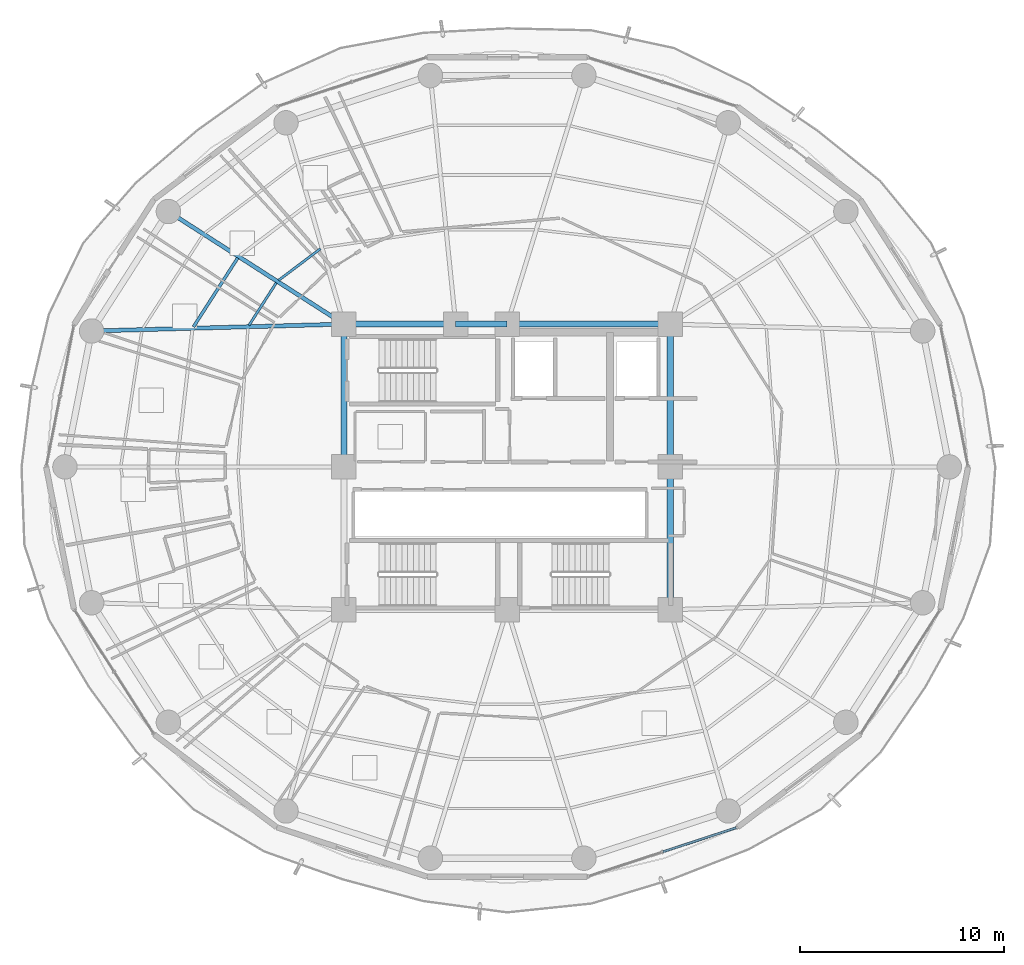
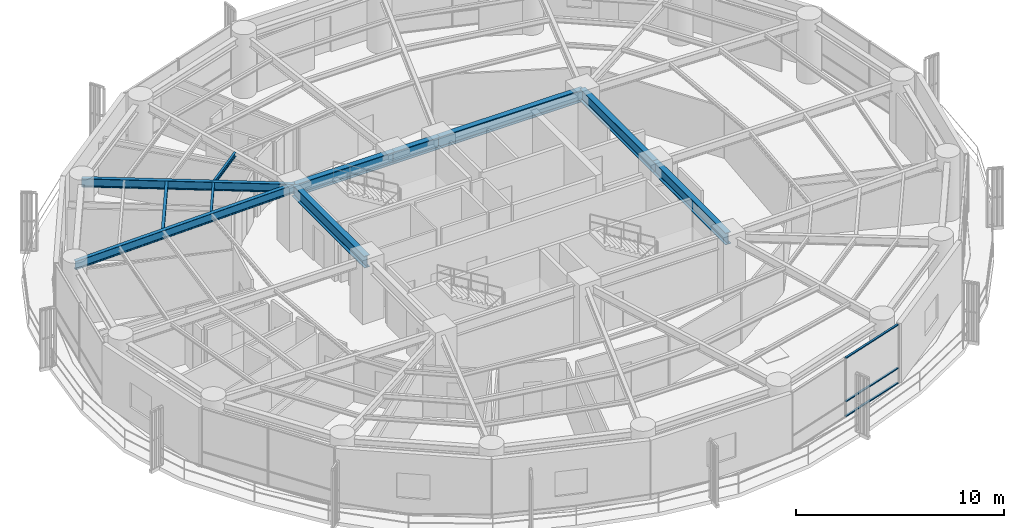
# One storey, part 9 of 28: 11 beams, 3 members, 1 element without a shape of its own.
"""IFC4 building model written with IfcOpenShell, lengths in metres."""

from ifc_helpers import new_model, si_unit, direction, frame, origin, origin_2d, place, context, subcontext, project, spatial, hollow_rectangle, i_section, extrude, material, layer, layer_set, material_profile, profile_set, type_object, element, aggregate, save


model = new_model("IFC4")

# Units and contexts
model_context = context("Model", 3, precision=1e-05, world=origin(), true_north=direction((0.0, 1.0)))
body_context = subcontext(model_context, "Body", "Model", "MODEL_VIEW")
ifc_project = project(units=[si_unit("LENGTHUNIT", "METRE"), si_unit("AREAUNIT", "SQUARE_METRE"), si_unit("VOLUMEUNIT", "CUBIC_METRE"), si_unit("PLANEANGLEUNIT", "RADIAN"), si_unit("MASSUNIT", "GRAM", prefix="KILO")], contexts=[model_context])

# Site, building, storey
site_placement = place(None, origin())
site = spatial("IfcSite", under=ifc_project, at=site_placement, CompositionType="ELEMENT")
building_placement = place(site_placement, origin())
building = spatial("IfcBuilding", under=site, at=building_placement, Name="Kelanora Arch Commons", CompositionType="ELEMENT")
storey_placement = place(building_placement, frame((0.0, 0.0, 180.60009765625)))
storey = spatial("IfcBuildingStorey", under=building, at=storey_placement, Name="L46", CompositionType="ELEMENT", Elevation=180.60009765625)

# Beams
ifc_material_1 = material(Name="Steel S355", Category="steel")
ifc_material_profile_1 = material_profile(ifc_material_1, i_section(OverallWidth=0.300048828125, OverallDepth=0.699951171875, WebThickness=0.01708984375, FlangeThickness=0.031982421875, FilletRadius=0.027099609375, at=origin_2d()), Name="HEB700")
ifc_profile_set_1 = profile_set([ifc_material_profile_1], Name="Steel S355")
beam_type_1 = type_object("IfcBeamType", Name="BM-CORE-HDR", PredefinedType="BEAM", material=ifc_profile_set_1)
for number, where, z_axis, x_axis, name in (
    (1, (82.0, 51.0, 3.139892578125), (0.0, 1.0, 0.0), (-1.0, 0.0, 0.0), "Core Header Beam 03 L46"),
    (2, (82.0, 58.0, 3.139892578125), (0.0, 1.0, 0.0), (-1.0, 0.0, 0.0), "Core Header Beam 04 L46"),
):
    element("IfcBeam", number, at=place(storey_placement, frame(where, z_axis=z_axis, x_axis=x_axis)), inside=storey, type_object=beam_type_1, Name=name, PredefinedType="BEAM", context=body_context, shape_type="SweptSolid", body=[
        extrude(i_section(OverallWidth=0.300048828125, OverallDepth=0.699951171875, WebThickness=0.01708984375, FlangeThickness=0.031982421875, FilletRadius=0.027099609375, at=origin_2d()), origin(), (0.0, 0.0, 1.0), 7.0),
    ])
beam_1_placement = place(storey_placement, frame((82.0, 65.0, 3.139892578125), z_axis=(-1.0, 0.0, 0.0), x_axis=(0.0, -1.0, 0.0)))
element("IfcBeam", 3, at=beam_1_placement, inside=storey, type_object=beam_type_1, Name="Core Header Beam 05 L46", PredefinedType="BEAM", context=body_context, shape_type="SweptSolid", body=[
    extrude(i_section(OverallWidth=0.300048828125, OverallDepth=0.699951171875, WebThickness=0.01708984375, FlangeThickness=0.031982421875, FilletRadius=0.027099609375, at=origin_2d()), origin(), (0.0, 0.0, 1.0), 8.0),
])
beam_2_placement = place(storey_placement, frame((74.0, 65.0, 3.139892578125), z_axis=(-1.0, 0.0, 0.0), x_axis=(0.0, -1.0, 0.0)))
element("IfcBeam", 4, at=beam_2_placement, inside=storey, type_object=beam_type_1, Name="Core Header Beam 06 L46", PredefinedType="BEAM", context=body_context, shape_type="SweptSolid", body=[
    extrude(i_section(OverallWidth=0.300048828125, OverallDepth=0.699951171875, WebThickness=0.01708984375, FlangeThickness=0.031982421875, FilletRadius=0.027099609375, at=origin_2d()), origin(), (0.0, 0.0, 1.0), 2.52001953125),
])
beam_3_placement = place(storey_placement, frame((71.47998046875, 65.0, 3.139892578125), z_axis=(-1.0, 0.0, 0.0), x_axis=(0.0, -1.0, 0.0)))
element("IfcBeam", 5, at=beam_3_placement, inside=storey, type_object=beam_type_1, Name="Core Header Beam 07 L46", PredefinedType="BEAM", context=body_context, shape_type="SweptSolid", body=[
    extrude(i_section(OverallWidth=0.300048828125, OverallDepth=0.699951171875, WebThickness=0.01708984375, FlangeThickness=0.031982421875, FilletRadius=0.027099609375, at=origin_2d()), origin(), (0.0, 0.0, 1.0), 5.47998046875),
])
beam_4_placement = place(storey_placement, frame((66.0, 65.0, 3.139892578125), z_axis=(0.0, -1.0, 0.0), x_axis=(1.0, 0.0, 0.0)))
element("IfcBeam", 6, at=beam_4_placement, inside=storey, type_object=beam_type_1, Name="Core Header Beam 08 L46", PredefinedType="BEAM", context=body_context, shape_type="SweptSolid", body=[
    extrude(i_section(OverallWidth=0.300048828125, OverallDepth=0.699951171875, WebThickness=0.01708984375, FlangeThickness=0.031982421875, FilletRadius=0.027099609375, at=origin_2d()), origin(), (0.0, 0.0, 1.0), 7.0),
])
ifc_material_profile_2 = material_profile(ifc_material_1, i_section(OverallWidth=0.14990234375, OverallDepth=0.300048828125, WebThickness=0.007080078125, FlangeThickness=0.0107421875, FilletRadius=0.014892578125, at=origin_2d()), Name="IPE300")
ifc_profile_set_2 = profile_set([ifc_material_profile_2], Name="Steel S355")
beam_type_2 = type_object("IfcBeamType", Name="BM-JST-01", PredefinedType="JOIST", material=ifc_profile_set_2)
beam_5_placement = place(storey_placement, frame((60.789306640625, 68.241455078125, 3.33984375), z_axis=(-0.540594434398, -0.841283339606, 0.0), x_axis=(0.841283339606, -0.540594434398, 0.0)))
element("IfcBeam", 7, at=beam_5_placement, inside=storey, type_object=beam_type_2, Name="Secondary Chord Joist BJB-14 L46", PredefinedType="JOIST", context=body_context, shape_type="SweptSolid", body=[
    extrude(i_section(OverallWidth=0.14990234375, OverallDepth=0.300048828125, WebThickness=0.007080078125, FlangeThickness=0.0107421875, FilletRadius=0.014892578125, at=origin_2d()), origin(), (0.0, 0.0, 1.0), 4.008544921875),
])
ifc_material_profile_3 = material_profile(ifc_material_1, i_section(OverallWidth=0.1201171875, OverallDepth=0.239990234375, WebThickness=0.006103515625, FlangeThickness=0.009765625, FilletRadius=0.014892578125, at=origin_2d()), Name="IPE240")
ifc_profile_set_3 = profile_set([ifc_material_profile_3], Name="Steel S355")
beam_type_3 = type_object("IfcBeamType", Name="BM-JST-02", PredefinedType="JOIST", material=ifc_profile_set_3)
beam_6_placement = place(storey_placement, frame((64.852783203125, 68.699462890625, 3.369873046875), z_axis=(-0.798484118859, -0.602015873487, 0.0), x_axis=(0.602015873487, -0.798484118859, 0.0)))
element("IfcBeam", 8, at=beam_6_placement, inside=storey, type_object=beam_type_3, Name="Secondary Chord Joist BJA-12 L46", PredefinedType="JOIST", context=body_context, shape_type="SweptSolid", body=[
    extrude(i_section(OverallWidth=0.1201171875, OverallDepth=0.239990234375, WebThickness=0.006103515625, FlangeThickness=0.009765625, FilletRadius=0.014892578125, at=origin_2d()), origin(), (0.0, 0.0, 1.0), 2.57470703125),
])
beam_7_placement = place(storey_placement, frame((62.68310546875, 67.026611328125, 3.369873046875), z_axis=(-0.540583174025, -0.841290575224, 0.0), x_axis=(0.841290575224, -0.540583174025, 0.0)))
element("IfcBeam", 9, at=beam_7_placement, inside=storey, type_object=beam_type_3, Name="Secondary Chord Joist BJA-14 L46", PredefinedType="JOIST", context=body_context, shape_type="SweptSolid", body=[
    extrude(i_section(OverallWidth=0.1201171875, OverallDepth=0.239990234375, WebThickness=0.006103515625, FlangeThickness=0.009765625, FilletRadius=0.014892578125, at=origin_2d()), origin(), (0.0, 0.0, 1.0), 2.476318359375),
])
ifc_material_profile_4 = material_profile(ifc_material_1, i_section(OverallWidth=0.199951171875, OverallDepth=0.5, WebThickness=0.01025390625, FlangeThickness=0.01611328125, FilletRadius=0.02099609375, at=origin_2d()), Name="IPE500")
ifc_profile_set_4 = profile_set([ifc_material_profile_4], Name="Steel S355")
beam_type_4 = type_object("IfcBeamType", Name="BM-RAD-Z3", PredefinedType="BEAM", material=ifc_profile_set_4)
beam_8_placement = place(storey_placement, frame((66.0, 65.0, 3.239990234375), z_axis=(-0.841719465748, 0.539915123868, 0.0), x_axis=(-0.539915123868, -0.841719465748, 0.0)))
element("IfcBeam", 10, at=beam_8_placement, inside=storey, type_object=beam_type_4, Name="Radial Floor Girder BR-14 L46", PredefinedType="BEAM", context=body_context, shape_type="SweptSolid", body=[
    extrude(i_section(OverallWidth=0.199951171875, OverallDepth=0.5, WebThickness=0.01025390625, FlangeThickness=0.01611328125, FilletRadius=0.02099609375, at=origin_2d()), origin(), (0.0, 0.0, 1.0), 10.2265625),
])
beam_9_placement = place(storey_placement, frame((66.0, 65.0, 3.239990234375), z_axis=(-0.999628374924, -0.027260081577, 0.0), x_axis=(0.027260081577, -0.999628374924, 0.0)))
element("IfcBeam", 11, at=beam_9_placement, inside=storey, type_object=beam_type_4, Name="Radial Floor Girder BR-16 L46", PredefinedType="BEAM", context=body_context, shape_type="SweptSolid", body=[
    extrude(i_section(OverallWidth=0.199951171875, OverallDepth=0.5, WebThickness=0.01025390625, FlangeThickness=0.01611328125, FilletRadius=0.02099609375, at=origin_2d()), origin(), (0.0, 0.0, 1.0), 12.377197265625),
])

# Curtain wall, members
ifc_material_2 = material(Name="Terracotta ceramic-fritted low-E glass and aluminium", Category="masonry")
ifc_layer = layer(ifc_material_2, 0.175048828125)
ifc_layer_set = layer_set([ifc_layer], Name="Terracotta ceramic-fritted low-E glass and aluminium")
curtain_wall_type = type_object("IfcCurtainWallType", Name="CW-SYS-02", PredefinedType="NOTDEFINED", material=ifc_layer_set)
curtain_wall_placement = place(storey_placement, origin())
curtain_wall = element("IfcCurtainWall", 12, at=curtain_wall_placement, inside=storey, type_object=curtain_wall_type, Name="Unitised Curtain Wall L46-B14", PredefinedType="NOTDEFINED")
ifc_material_3 = material(Name="Powder-coated aluminium terracotta", Category="masonry")
ifc_material_profile_5 = material_profile(ifc_material_3, hollow_rectangle(XDim=0.1201171875, YDim=0.06005859375, WallThickness=0.0048828125, InnerFilletRadius=0.0048828125, OuterFilletRadius=0.010009765625, at=origin_2d()), Name="CWT120x60")
ifc_profile_set_5 = profile_set([ifc_material_profile_5], Name="Powder-coated aluminium terracotta")
member_type = type_object("IfcMemberType", Name="CWT-STD", PredefinedType="USERDEFINED", material=ifc_profile_set_5)
member_1_placement = place(storey_placement, frame((81.640625, 39.130859375, 0.02978515625), z_axis=(0.950051191155, 0.312094111104, 0.0), x_axis=(-0.312094111104, 0.950051191155, 0.0)))
member_1 = element("IfcMember", 13, at=member_1_placement, type_object=member_type, Name="CW-02 transom 2.1", ObjectType="TRANSOM", PredefinedType="USERDEFINED", context=body_context, shape_type="SweptSolid", body=[
    extrude(hollow_rectangle(XDim=0.1201171875, YDim=0.06005859375, WallThickness=0.0048828125, InnerFilletRadius=0.0048828125, OuterFilletRadius=0.010009765625, at=origin_2d()), origin(), (0.0, 0.0, 1.0), 3.77685546875),
])
member_2_placement = place(storey_placement, frame((81.640625, 39.130859375, 0.89990234375), z_axis=(0.950051191155, 0.312094111104, 0.0), x_axis=(-0.312094111104, 0.950051191155, 0.0)))
member_2 = element("IfcMember", 14, at=member_2_placement, type_object=member_type, Name="CW-02 transom 2.2", ObjectType="TRANSOM", PredefinedType="USERDEFINED", context=body_context, shape_type="SweptSolid", body=[
    extrude(hollow_rectangle(XDim=0.1201171875, YDim=0.06005859375, WallThickness=0.0048828125, InnerFilletRadius=0.0048828125, OuterFilletRadius=0.010009765625, at=origin_2d()), origin(), (0.0, 0.0, 1.0), 3.77685546875),
])
member_3_placement = place(storey_placement, frame((81.640625, 39.130859375, 3.44482421875), z_axis=(0.950051191155, 0.312094111104, 0.0), x_axis=(-0.312094111104, 0.950051191155, 0.0)))
member_3 = element("IfcMember", 15, at=member_3_placement, type_object=member_type, Name="CW-02 transom 2.3", ObjectType="TRANSOM", PredefinedType="USERDEFINED", context=body_context, shape_type="SweptSolid", body=[
    extrude(hollow_rectangle(XDim=0.1201171875, YDim=0.06005859375, WallThickness=0.0048828125, InnerFilletRadius=0.0048828125, OuterFilletRadius=0.010009765625, at=origin_2d()), origin(), (0.0, 0.0, 1.0), 3.77685546875),
])
aggregate(curtain_wall, [member_1, member_2, member_3])

save(model, "model.ifc")
